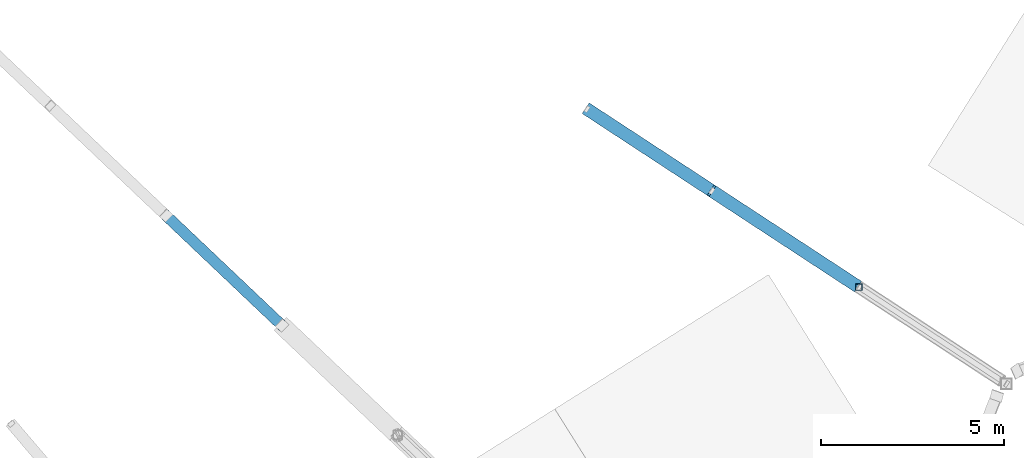
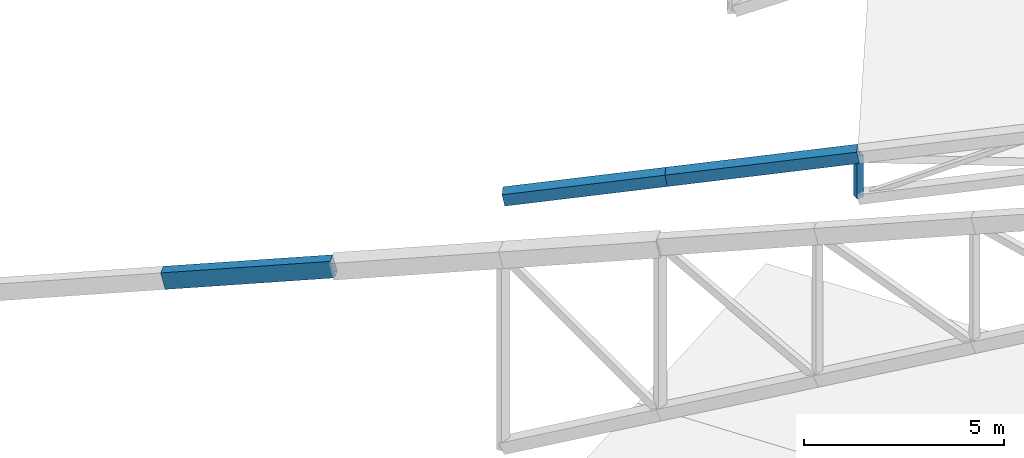
# One storey, part 45 of 188: 4 members.
"""IFC4 building model written with IfcOpenShell, lengths in metres."""

from ifc_helpers import new_model, si_unit, direction, frame, origin, origin_2d, place, context, subcontext, project, spatial, hollow_rectangle, extrude, material, material_profile, profile_set, type_object, element, save


model = new_model("IFC4")

# Units and contexts
model_context = context("Model", 3, precision=1e-05, world=origin(), true_north=direction((0.0, 1.0)))
body_context = subcontext(model_context, "Body", "Model", "MODEL_VIEW")
ifc_project = project(units=[si_unit("LENGTHUNIT", "METRE"), si_unit("AREAUNIT", "SQUARE_METRE"), si_unit("VOLUMEUNIT", "CUBIC_METRE"), si_unit("PLANEANGLEUNIT", "RADIAN"), si_unit("MASSUNIT", "GRAM", prefix="KILO")], contexts=[model_context])

# Site, building, storey
site_placement = place(None, origin())
site = spatial("IfcSite", under=ifc_project, at=site_placement, CompositionType="ELEMENT")
building_placement = place(site_placement, origin())
building = spatial("IfcBuilding", under=site, at=building_placement, Name="Meseta Stadium", CompositionType="ELEMENT")
storey_placement = place(building_placement, frame((0.0, 0.0, 30.0)))
storey = spatial("IfcBuildingStorey", under=building, at=storey_placement, Name="ROOF", CompositionType="ELEMENT", Elevation=30.0)

# Members
ifc_material_1 = material(Name="Steel S355", Category="steel")
ifc_material_profile_1 = material_profile(ifc_material_1, hollow_rectangle(XDim=0.300048828125, YDim=0.5, WallThickness=0.01611328125, at=origin_2d()), Name="RHS 500x300x16")
ifc_profile_set_1 = profile_set([ifc_material_profile_1], Name="Steel S355")
member_type_1 = type_object("IfcMemberType", Name="RHS 500x300x16 top chord", PredefinedType="CHORD", material=ifc_profile_set_1)
member_1_placement = place(storey_placement, frame((57.39990234375, -79.766357421875, 4.345703125), z_axis=(0.704927238924, -0.668503914325, 0.237023425751), x_axis=(0.688112410324, 0.725604100566, 0.0)))
element("IfcMember", 1, at=member_1_placement, inside=storey, type_object=member_type_1, Name="ROOF TRUSS RT-52 top chord", PredefinedType="CHORD", context=body_context, shape_type="SweptSolid", body=[
    extrude(hollow_rectangle(XDim=0.300048828125, YDim=0.5, WallThickness=0.01611328125, at=origin_2d()), origin(), (0.0, 0.0, 1.0), 4.490966796875),
])
ifc_material_2 = material(Name="Steel S355", Category="steel")
ifc_material_profile_2 = material_profile(ifc_material_2, hollow_rectangle(XDim=0.179931640625, YDim=0.179931640625, WallThickness=0.00634765625, at=origin_2d()), Name="SHS 180x180x6.3")
ifc_profile_set_2 = profile_set([ifc_material_profile_2], Name="Steel S355")
member_type_2 = type_object("IfcMemberType", Name="SHS 180x180x6.3 post", PredefinedType="POST", material=ifc_profile_set_2)
member_2_placement = place(storey_placement, frame((76.338623046875, -81.728271484375, 1.396484375), z_axis=(0.0, 0.0, 1.0), x_axis=(1.0, 0.0, 0.0)))
element("IfcMember", 2, at=member_2_placement, inside=storey, type_object=member_type_2, Name="ROOF TRUSS RT-53 post", PredefinedType="POST", context=body_context, shape_type="SweptSolid", body=[
    extrude(hollow_rectangle(XDim=0.179931640625, YDim=0.179931640625, WallThickness=0.00634765625, at=origin_2d()), origin(), (0.0, 0.0, 1.0), 1.300048828125),
])
ifc_material_3 = material(Name="Steel S355", Category="steel")
ifc_material_profile_3 = material_profile(ifc_material_3, hollow_rectangle(XDim=0.35009765625, YDim=0.35009765625, WallThickness=0.010009765625, at=origin_2d()), Name="SHS 350x350x10")
ifc_profile_set_3 = profile_set([ifc_material_profile_3], Name="Steel S355")
member_type_3 = type_object("IfcMemberType", Name="SHS 350x350x10 top chord", PredefinedType="CHORD", material=ifc_profile_set_3)
member_3_placement = place(storey_placement, frame((68.897216796875, -76.854736328125, 1.0419921875), z_axis=(0.822460438995, -0.538624266904, 0.182873522934), x_axis=(0.547863186454, 0.836567946391, 0.0)))
element("IfcMember", 3, at=member_3_placement, inside=storey, type_object=member_type_3, Name="ROOF TRUSS RT-53 top chord", PredefinedType="CHORD", context=body_context, shape_type="SweptSolid", body=[
    extrude(hollow_rectangle(XDim=0.35009765625, YDim=0.35009765625, WallThickness=0.010009765625, at=origin_2d()), origin(), (0.0, 0.0, 1.0), 4.15185546875),
])
member_4_placement = place(storey_placement, frame((72.31201171875, -79.091064453125, 1.80126953125), z_axis=(0.822443524895, -0.538654881217, 0.182859419499), x_axis=(0.547892863959, 0.836548510024, 0.0)))
element("IfcMember", 4, at=member_4_placement, inside=storey, type_object=member_type_3, Name="ROOF TRUSS RT-53 top chord", PredefinedType="CHORD", context=body_context, shape_type="SweptSolid", body=[
    extrude(hollow_rectangle(XDim=0.35009765625, YDim=0.35009765625, WallThickness=0.010009765625, at=origin_2d()), origin(), (0.0, 0.0, 1.0), 4.89599609375),
])

save(model, "model.ifc")
